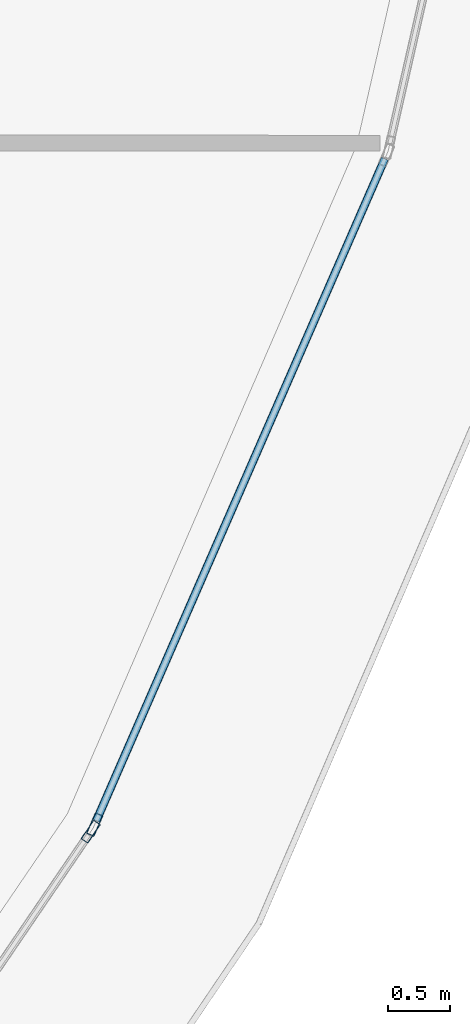
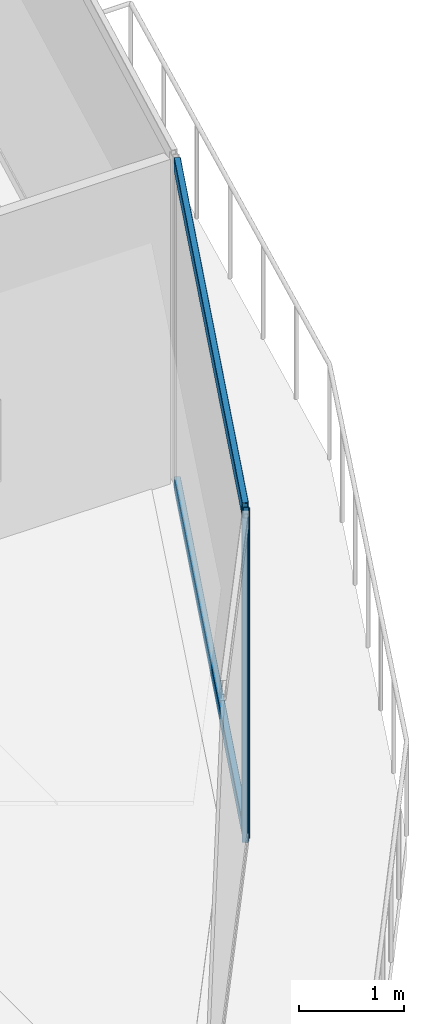
# One storey, part 10 of 33: 4 members, 2 elements without a shape of their own.
"""IFC4 building model written with IfcOpenShell, lengths in metres."""

from ifc_helpers import new_model, si_unit, direction, frame, origin, origin_2d, place, context, subcontext, project, spatial, hollow_rectangle, extrude, material, layer, layer_set, material_profile, profile_set, type_object, element, aggregate, save


model = new_model("IFC4")

# Units and contexts
model_context = context("Model", 3, precision=1e-05, world=origin(), true_north=direction((0.0, 1.0)))
body_context = subcontext(model_context, "Body", "Model", "MODEL_VIEW")
ifc_project = project(units=[si_unit("LENGTHUNIT", "METRE"), si_unit("AREAUNIT", "SQUARE_METRE"), si_unit("VOLUMEUNIT", "CUBIC_METRE"), si_unit("PLANEANGLEUNIT", "RADIAN"), si_unit("MASSUNIT", "GRAM", prefix="KILO")], contexts=[model_context])

# Site, building, storey
site_placement = place(None, origin())
site = spatial("IfcSite", under=ifc_project, at=site_placement, CompositionType="ELEMENT")
building_placement = place(site_placement, origin())
building = spatial("IfcBuilding", under=site, at=building_placement, Name="Qorvath Tower", CompositionType="ELEMENT")
storey_placement = place(building_placement, frame((0.0, 0.0, 237.449951171875)))
storey = spatial("IfcBuildingStorey", under=building, at=storey_placement, Name="L55", CompositionType="ELEMENT", Elevation=237.449951171875)

# Curtain wall, member
ifc_material_1 = material(Name="Anodised aluminium and triple low-E glass", Category="aluminium")
ifc_layer = layer(ifc_material_1, 0.179931640625)
ifc_layer_set = layer_set([ifc_layer], Name="CW-SYS-3")
curtain_wall_type = type_object("IfcCurtainWallType", Name="CW-SYS-3", PredefinedType="NOTDEFINED", material=ifc_layer_set)
curtain_wall_1_placement = place(storey_placement, origin())
curtain_wall_1 = element("IfcCurtainWall", 1, at=curtain_wall_1_placement, inside=storey, type_object=curtain_wall_type, Name="Curtain Wall CW-3 CW-T-L55-5.1", PredefinedType="NOTDEFINED")
ifc_material_2 = material(Name="Anodised aluminium 6063-T6", Category="aluminium")
ifc_material_profile_1 = material_profile(ifc_material_2, hollow_rectangle(XDim=0.06494140625, YDim=0.179931640625, WallThickness=0.00341796875, InnerFilletRadius=0.00341796875, OuterFilletRadius=0.007080078125, at=origin_2d()), Name="CWM 180x65")
ifc_profile_set_1 = profile_set([ifc_material_profile_1], Name="Anodised aluminium 6063-T6")
member_type_1 = type_object("IfcMemberType", Name="CWM-180", PredefinedType="MULLION", material=ifc_profile_set_1)
member_1_placement = place(storey_placement, frame((-3.523193359375, -15.319580078125, 0.0), z_axis=(0.0, 0.0, 1.0), x_axis=(-0.826473596685, 0.562975482577, 0.0)))
member_1 = element("IfcMember", 2, at=member_1_placement, type_object=member_type_1, Name="CW-3 mullion 2", PredefinedType="MULLION", context=body_context, shape_type="SweptSolid", body=[
    extrude(hollow_rectangle(XDim=0.06494140625, YDim=0.179931640625, WallThickness=0.00341796875, InnerFilletRadius=0.00341796875, OuterFilletRadius=0.007080078125, at=origin_2d()), origin(), (0.0, 0.0, 1.0), 3.780029296875),
])
aggregate(curtain_wall_1, [member_1])

# Curtain wall, members
curtain_wall_2_placement = place(storey_placement, origin())
curtain_wall_2 = element("IfcCurtainWall", 3, at=curtain_wall_2_placement, inside=storey, type_object=curtain_wall_type, Name="Curtain Wall CW-3 CW-T-L55-6.1", PredefinedType="NOTDEFINED")
member_2_placement = place(storey_placement, frame((-3.491943359375, -15.262939453125, 0.0), z_axis=(0.0, 0.0, 1.0), x_axis=(-0.916728547594, 0.39951066322, 0.0)))
member_2 = element("IfcMember", 4, at=member_2_placement, type_object=member_type_1, Name="CW-3 mullion 1", PredefinedType="MULLION", context=body_context, shape_type="SweptSolid", body=[
    extrude(hollow_rectangle(XDim=0.06494140625, YDim=0.179931640625, WallThickness=0.00341796875, InnerFilletRadius=0.00341796875, OuterFilletRadius=0.007080078125, at=origin_2d()), origin(), (0.0, 0.0, 1.0), 3.780029296875),
])
ifc_material_3 = material(Name="Anodised aluminium 6063-T6", Category="aluminium")
ifc_material_profile_2 = material_profile(ifc_material_3, hollow_rectangle(XDim=0.06494140625, YDim=0.159912109375, WallThickness=0.00341796875, InnerFilletRadius=0.00341796875, OuterFilletRadius=0.007080078125, at=origin_2d()), Name="CWT 160x65")
ifc_profile_set_2 = profile_set([ifc_material_profile_2], Name="Anodised aluminium 6063-T6")
member_type_2 = type_object("IfcMemberType", Name="CWT-160", PredefinedType="USERDEFINED", material=ifc_profile_set_2)
member_3_placement = place(storey_placement, frame((-3.47900390625, -15.233154296875, 0.032470703125), z_axis=(0.39953080201, 0.916719770838, 0.0), x_axis=(-0.916719770838, 0.39953080201, 0.0)))
member_3 = element("IfcMember", 5, at=member_3_placement, type_object=member_type_2, Name="CW-3 transom 1.1", ObjectType="TRANSOM", PredefinedType="USERDEFINED", context=body_context, shape_type="SweptSolid", body=[
    extrude(hollow_rectangle(XDim=0.06494140625, YDim=0.159912109375, WallThickness=0.00341796875, InnerFilletRadius=0.00341796875, OuterFilletRadius=0.007080078125, at=origin_2d()), origin(), (0.0, 0.0, 1.0), 5.77880859375),
])
member_4_placement = place(storey_placement, frame((-3.47900390625, -15.233154296875, 3.74755859375), z_axis=(0.39953080201, 0.916719770838, 0.0), x_axis=(-0.916719770838, 0.39953080201, 0.0)))
member_4 = element("IfcMember", 6, at=member_4_placement, type_object=member_type_2, Name="CW-3 transom 1.2", ObjectType="TRANSOM", PredefinedType="USERDEFINED", context=body_context, shape_type="SweptSolid", body=[
    extrude(hollow_rectangle(XDim=0.06494140625, YDim=0.159912109375, WallThickness=0.00341796875, InnerFilletRadius=0.00341796875, OuterFilletRadius=0.007080078125, at=origin_2d()), origin(), (0.0, 0.0, 1.0), 5.77880859375),
])
aggregate(curtain_wall_2, [member_2, member_3, member_4])

save(model, "model.ifc")
